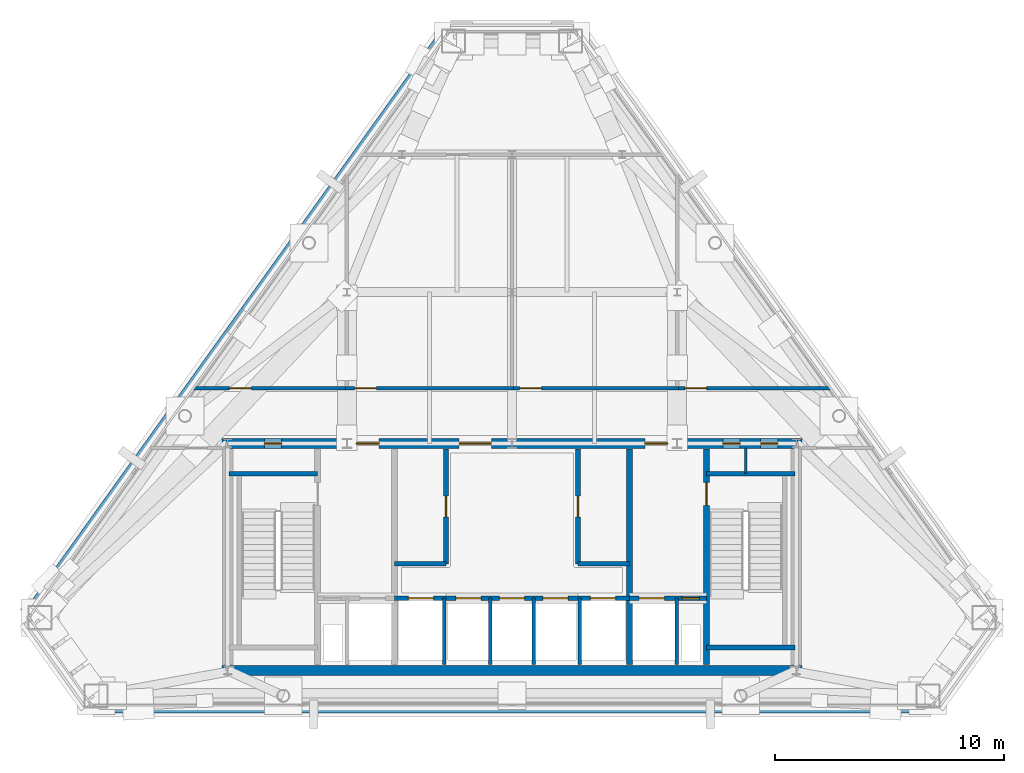
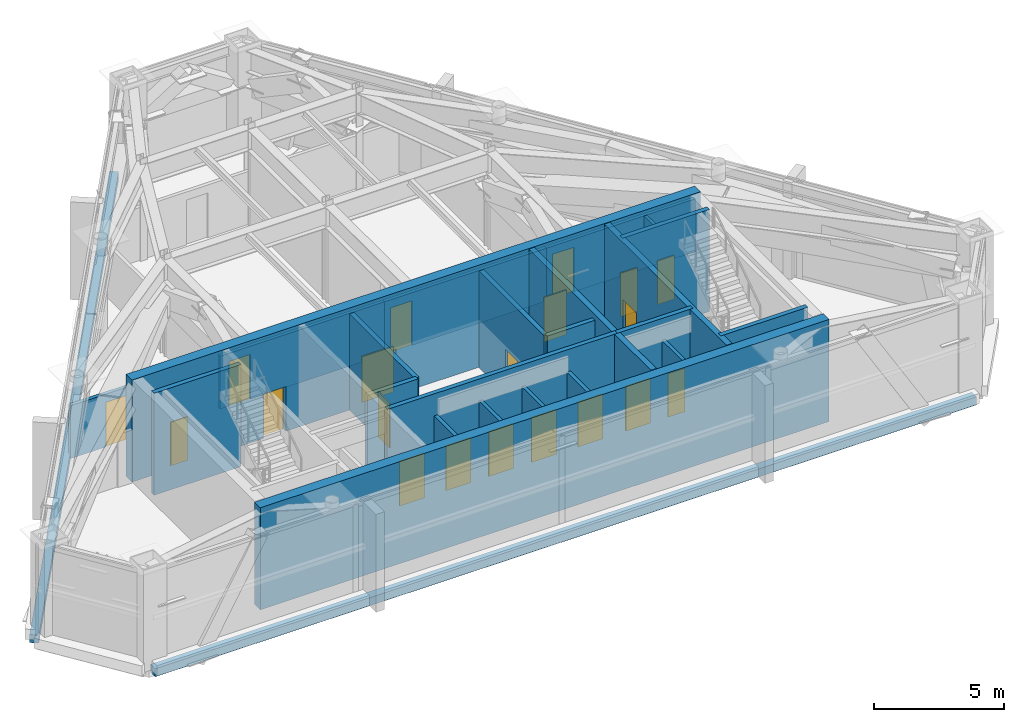
# One storey, part 6 of 9: 25 walls, 20 doors, 20 openings.
"""IFC4 building model written with IfcOpenShell, lengths in metres."""

import ifcopenshell
import ifcopenshell.guid

model = None  # the IFC model being written
_history = None  # IfcOwnerHistory: only IFC2X3 demands one
_inside = {}  # id of a spatial element -> (the spatial element, [elements in it])
_under = {}  # id of a project, library or spatial element -> (it, [spatial elements below it])
_declared = {}  # id of a project -> (the project, [libraries it declares])
_typed = {}  # id of a type object -> (the type object, [elements of that type])
_made_of = {}  # id of a material, layer set ... -> (it, [elements and type objects made of it])


def new_model(schema):
    """Start an empty IFC model of exactly this schema.

    Asked for "IFC4X3", IfcOpenShell would pick the latest addendum, in which some entities
    have other attributes; the version numbers below select the first issue.
    IFC2X3 requires an IfcOwnerHistory on every rooted entity: one is made here for all.
    """
    global model, _history
    if schema == "IFC4X3":
        model = ifcopenshell.file(schema_version=(4, 3, 0, 0))
    else:
        model = ifcopenshell.file(schema=schema)
    _inside.clear()
    _under.clear()
    _declared.clear()
    _typed.clear()
    _made_of.clear()
    _history = None
    if model.schema == "IFC2X3":
        org = make("IfcOrganization", Name="unknown")
        user = make(
            "IfcPersonAndOrganization",
            ThePerson=make("IfcPerson", FamilyName="unknown"),
            TheOrganization=org,
        )
        app = make(
            "IfcApplication",
            ApplicationDeveloper=org,
            Version="unknown",
            ApplicationFullName="unknown",
            ApplicationIdentifier="unknown",
        )
        _history = make(
            "IfcOwnerHistory",
            OwningUser=user,
            OwningApplication=app,
            ChangeAction="ADDED",
            CreationDate=0,
        )
    return model


def make(cls, **values):
    """One entity of the class cls with the attributes given. An attribute that is None is left unset."""
    return model.create_entity(
        cls, **{name: value for name, value in values.items() if value is not None}
    )


def rooted(cls, **values):
    """An entity with a GlobalId (a new one), such as an element, a storey or a relation."""
    return make(cls, GlobalId=ifcopenshell.guid.new(), OwnerHistory=_history, **values)


def si_unit(unit_type, name, prefix=None):
    """IfcSIUnit, for example si_unit("LENGTHUNIT", "METRE", prefix="MILLI")."""
    return make("IfcSIUnit", UnitType=unit_type, Prefix=prefix, Name=name)


def assignment(units):
    """IfcUnitAssignment: the units of a project."""
    return None if units is None else make("IfcUnitAssignment", Units=units)


def point(xyz):
    """IfcCartesianPoint."""
    return None if xyz is None else make("IfcCartesianPoint", Coordinates=xyz)


def direction(xyz):
    """IfcDirection."""
    return None if xyz is None else make("IfcDirection", DirectionRatios=xyz)


def frame(location, z_axis=None, x_axis=None):
    """IfcAxis2Placement3D, a coordinate frame: its origin and axes. An axis left out is left unset."""
    return make(
        "IfcAxis2Placement3D",
        Location=point(location),
        Axis=direction(z_axis),
        RefDirection=direction(x_axis),
    )


def frame_2d(location, x_axis=None):
    """IfcAxis2Placement2D, a coordinate frame in the plane: its origin and x axis."""
    return make(
        "IfcAxis2Placement2D", Location=point(location), RefDirection=direction(x_axis)
    )


def origin():
    """The frame at (0, 0, 0) with its axes left unset."""
    return frame((0.0, 0.0, 0.0))


def place(relative_to, where):
    """IfcLocalPlacement: puts the frame where relative to a parent placement (None: the world)."""
    return make(
        "IfcLocalPlacement", PlacementRelTo=relative_to, RelativePlacement=where
    )


def context(
    kind, dimensions, precision=None, world=None, true_north=None, identifier=None
):
    """IfcGeometricRepresentationContext, for example the 3D "Model" context."""
    return make(
        "IfcGeometricRepresentationContext",
        ContextIdentifier=identifier,
        ContextType=kind,
        CoordinateSpaceDimension=dimensions,
        Precision=precision,
        WorldCoordinateSystem=world,
        TrueNorth=true_north,
    )


def subcontext(parent, identifier, kind, view, scale=None):
    """IfcGeometricRepresentationSubContext, for example "Body" below "Model"."""
    return make(
        "IfcGeometricRepresentationSubContext",
        ContextIdentifier=identifier,
        ContextType=kind,
        ParentContext=parent,
        TargetScale=scale,
        TargetView=view,
    )


def project(units=None, contexts=None):
    """IfcProject with its units and contexts."""
    return rooted(
        "IfcProject",
        Name="project",
        RepresentationContexts=contexts,
        UnitsInContext=assignment(units),
    )


def spatial(cls, under=None, at=None, **own):
    """A site, building, storey or space (cls), placed at a placement, below another one or the project."""
    s = rooted(cls, ObjectPlacement=at, **own)
    if under is not None:
        _under.setdefault(under.id(), (under, []))[1].append(s)
    return s


def profile(cls, at=None, kind="AREA", **sizes):
    """A parametric profile (cls). Its sizes go by their IFC names, for example OverallWidth=200.0."""
    return make(cls, ProfileType=kind, Position=at, **sizes)


def rectangle(**sizes):
    """IfcRectangleProfileDef."""
    return profile("IfcRectangleProfileDef", **sizes)


def extrude(swept, where, along, depth):
    """IfcExtrudedAreaSolid: the profile swept, set in the frame where, extruded along a direction by depth."""
    return make(
        "IfcExtrudedAreaSolid",
        SweptArea=swept,
        Position=where,
        ExtrudedDirection=direction(along),
        Depth=depth,
    )


def shape(context_of_items, identifier, shape_type, items):
    """IfcShapeRepresentation: the items that make up one representation, for example the "Body"."""
    return make(
        "IfcShapeRepresentation",
        ContextOfItems=context_of_items,
        RepresentationIdentifier=identifier,
        RepresentationType=shape_type,
        Items=items,
    )


def material(Name=None, Category=None):
    """IfcMaterial."""
    return make("IfcMaterial", Name=Name, Category=Category)


def layer(
    of_material, thickness, ventilated=None, Name=None, Category=None, Priority=None
):
    """IfcMaterialLayer: one layer of a wall or slab, of a material (None: an air gap)."""
    return make(
        "IfcMaterialLayer",
        Material=of_material,
        LayerThickness=thickness,
        IsVentilated=ventilated,
        Name=Name,
        Category=Category,
        Priority=Priority,
    )


def layer_set(layers, Name=None):
    """IfcMaterialLayerSet."""
    return make("IfcMaterialLayerSet", MaterialLayers=layers, LayerSetName=Name)


def made_of(thing, what):
    """Note that an element or type object is made of a material, layer set ...; save() writes the relation."""
    if what is not None:
        _made_of.setdefault(what.id(), (what, []))[1].append(thing)
    return thing


def type_object(cls, material=None, **own):
    """A type object (cls), such as IfcWallType, which elements share."""
    return made_of(rooted(cls, **own), material)


def element(
    cls,
    number,
    at=None,
    inside=None,
    cuts=None,
    type_object=None,
    material=None,
    context=None,
    identifier="Body",
    shape_type=None,
    held_by="IfcProductDefinitionShape",
    body=None,
    shapes=None,
    **own,
):
    """One element of the class cls, such as IfcWall. Its Tag is "e" and its number.

    at: its placement. inside: the storey or other place that contains it. cuts: it is an
    opening in that element (IfcRelVoidsElement). A single representation is given by context,
    identifier, shape_type and body (its items); several are given by shapes. held_by: the class
    of the entity that holds the representations. save() writes the other relations.
    """
    e = rooted(cls, Tag="e%d" % number, ObjectPlacement=at, **own)
    if body is not None:
        shapes = [shape(context, identifier, shape_type, body)]
    if shapes is not None:
        e.Representation = make(held_by, Representations=shapes)
    if inside is not None:
        _inside.setdefault(inside.id(), (inside, []))[1].append(e)
    if cuts is not None:
        rooted(
            "IfcRelVoidsElement", RelatingBuildingElement=cuts, RelatedOpeningElement=e
        )
    if type_object is not None:
        _typed.setdefault(type_object.id(), (type_object, []))[1].append(e)
    return made_of(e, material)


def fill(opening, filler):
    """IfcRelFillsElement: the door or window that sits in an opening."""
    return rooted(
        "IfcRelFillsElement",
        RelatingOpeningElement=opening,
        RelatedBuildingElement=filler,
    )


def aggregate(whole, parts):
    """IfcRelAggregates: a whole, such as a stair, and the parts it consists of."""
    return rooted("IfcRelAggregates", RelatingObject=whole, RelatedObjects=parts)


def save(model, path):
    """Write the relations noted so far, then the file.

    IfcRelAggregates (storeys below a building ...), IfcRelContainedInSpatialStructure (elements
    in a storey), IfcRelDefinesByType, IfcRelAssociatesMaterial and IfcRelDeclares: one each for
    every whole, place, type object, material and project.
    """
    for whole, parts in _under.values():
        aggregate(whole, parts)
    for where, things in _inside.values():
        rooted(
            "IfcRelContainedInSpatialStructure",
            RelatedElements=things,
            RelatingStructure=where,
        )
    for kind, things in _typed.values():
        rooted("IfcRelDefinesByType", RelatedObjects=things, RelatingType=kind)
    for what, things in _made_of.values():
        rooted("IfcRelAssociatesMaterial", RelatedObjects=things, RelatingMaterial=what)
    for by, libraries in _declared.values():
        rooted("IfcRelDeclares", RelatingContext=by, RelatedDefinitions=libraries)
    model.write(path)


model = new_model("IFC4")

# Units and contexts
model_context = context("Model", 3, precision=1e-05, world=origin(), true_north=direction((0.0, 1.0)))
body_context = subcontext(model_context, "Body", "Model", "MODEL_VIEW")
ifc_project = project(units=[si_unit("LENGTHUNIT", "METRE"), si_unit("AREAUNIT", "SQUARE_METRE"), si_unit("VOLUMEUNIT", "CUBIC_METRE"), si_unit("PLANEANGLEUNIT", "RADIAN"), si_unit("MASSUNIT", "GRAM", prefix="KILO")], contexts=[model_context])

# Site, building, storey
site_placement = place(None, origin())
site = spatial("IfcSite", under=ifc_project, at=site_placement, CompositionType="ELEMENT")
building_placement = place(site_placement, origin())
building = spatial("IfcBuilding", under=site, at=building_placement, Name="Talgorran Terracotta Tower", CompositionType="ELEMENT")
storey_placement = place(building_placement, frame((0.0, 0.0, 244.199951171875)))
storey = spatial("IfcBuildingStorey", under=building, at=storey_placement, Name="L64", CompositionType="ELEMENT", Elevation=244.199951171875)

# Walls
ifc_material_1 = material(Name="Concrete C50/60", Category="concrete")
ifc_layer_1 = layer(ifc_material_1, 0.199951171875, Name="WT_CORE_200")
ifc_layer_set_1 = layer_set([ifc_layer_1], Name="Concrete C50/60")
wall_type_1 = type_object("IfcWallType", Name="WT_CORE_200", PredefinedType="SOLIDWALL", material=ifc_layer_set_1)
for number, where, z_axis, x_axis, name in (
    (1, (-12.35009765625, -5.52001953125, 0.0), (0.0, 0.0, 1.0), (1.0, 0.0, 0.0), "WL-L64-CW-ST1-N"),
    (2, (8.47998046875, -5.52001953125, 0.0), (0.0, 0.0, 1.0), (1.0, 0.0, 0.0), "WL-L64-CW-ST2-N"),
    (3, (8.47998046875, -13.10009765625, 0.0), (0.0, 0.0, 1.0), (1.0, 0.0, 0.0), "WL-L64-CW-ST2-S"),
):
    element("IfcWall", number, at=place(storey_placement, frame(where, z_axis=z_axis, x_axis=x_axis)), inside=storey, type_object=wall_type_1, Name=name, PredefinedType="SOLIDWALL", context=body_context, shape_type="SweptSolid", body=[
        extrude(rectangle(XDim=3.8701171875, YDim=0.199951171875, at=frame_2d((1.93505859375, 0.0))), origin(), (0.0, 0.0, 1.0), 4.800048828125),
    ])

# Wall, openings, doors
wall_1_placement = place(storey_placement, frame((-5.1201171875, -10.949951171875, 0.0), z_axis=(0.0, 0.0, 1.0), x_axis=(1.0, 0.0, 0.0)))
wall_1 = element("IfcWall", 4, at=wall_1_placement, inside=storey, type_object=wall_type_1, Name="WL-L64-CW-H-SBC", PredefinedType="SOLIDWALL", context=body_context, shape_type="SweptSolid", body=[
    extrude(rectangle(XDim=10.240234375, YDim=0.199951171875, at=frame_2d((5.1201171875, 0.0))), origin(), (0.0, 0.0, 1.0), 4.800048828125),
])
opening_1_placement = place(wall_1_placement, frame((0.60009765625, 0.0, 0.0)))
opening_1 = element("IfcOpeningElement", 5, at=opening_1_placement, cuts=wall_1, Name="Opening LD-OB1", PredefinedType="OPENING", context=body_context, shape_type="SweptSolid", body=[
    extrude(rectangle(XDim=1.10609765625, YDim=2.10409765625, at=frame_2d((0.550048828125, 1.052001953125))), frame((0.0, 0.10986328125, 0.0), z_axis=(0.0, -1.0, 0.0), x_axis=(1.0, 0.0, 0.0)), (0.0, 0.0, 1.0), 0.219970703125),
])
opening_2_placement = place(wall_1_placement, frame((2.669921875, 0.0, 0.0)))
opening_2 = element("IfcOpeningElement", 6, at=opening_2_placement, cuts=wall_1, Name="Opening LD-PLH1", PredefinedType="OPENING", context=body_context, shape_type="SweptSolid", body=[
    extrude(rectangle(XDim=1.10609765625, YDim=2.10409765625, at=frame_2d((0.550048828125, 1.052001953125))), frame((0.0, 0.10986328125, 0.0), z_axis=(0.0, -1.0, 0.0), x_axis=(1.0, 0.0, 0.0)), (0.0, 0.0, 1.0), 0.219970703125),
])
opening_3_placement = place(wall_1_placement, frame((4.570068359375, 0.0, 0.0)))
opening_3 = element("IfcOpeningElement", 7, at=opening_3_placement, cuts=wall_1, Name="Opening LD-PLH2", PredefinedType="OPENING", context=body_context, shape_type="SweptSolid", body=[
    extrude(rectangle(XDim=1.10609765625, YDim=2.10409765625, at=frame_2d((0.550048828125, 1.052001953125))), frame((0.0, 0.10986328125, 0.0), z_axis=(0.0, -1.0, 0.0), x_axis=(1.0, 0.0, 0.0)), (0.0, 0.0, 1.0), 0.219970703125),
])
opening_4_placement = place(wall_1_placement, frame((6.469970703125, 0.0, 0.0)))
opening_4 = element("IfcOpeningElement", 8, at=opening_4_placement, cuts=wall_1, Name="Opening LD-PLH3", PredefinedType="OPENING", context=body_context, shape_type="SweptSolid", body=[
    extrude(rectangle(XDim=1.10609765625, YDim=2.10409765625, at=frame_2d((0.550048828125, 1.052001953125))), frame((0.0, 0.10986328125, 0.0), z_axis=(0.0, -1.0, 0.0), x_axis=(1.0, 0.0, 0.0)), (0.0, 0.0, 1.0), 0.219970703125),
])
opening_5_placement = place(wall_1_placement, frame((8.5400390625, 0.0, 0.0)))
opening_5 = element("IfcOpeningElement", 9, at=opening_5_placement, cuts=wall_1, Name="Opening LD-SVL1", PredefinedType="OPENING", context=body_context, shape_type="SweptSolid", body=[
    extrude(rectangle(XDim=1.10609765625, YDim=2.10409765625, at=frame_2d((0.550048828125, 1.052001953125))), frame((0.0, 0.10986328125, 0.0), z_axis=(0.0, -1.0, 0.0), x_axis=(1.0, 0.0, 0.0)), (0.0, 0.0, 1.0), 0.219970703125),
])
ifc_material_2 = material(Name="Brushed Stainless Steel Grade 304", Category="steel")
door_type_1 = type_object("IfcDoorType", Name="DT_LIFT_LD1100", OperationType="DOUBLE_DOOR_SLIDING", PredefinedType="DOOR", material=ifc_material_2)
door_1_placement = place(opening_1_placement, origin())
door_1 = element("IfcDoor", 10, at=door_1_placement, inside=storey, type_object=door_type_1, Name="L64 Lift Landing Door LD-OB1", OperationType="DOUBLE_DOOR_SLIDING", OverallHeight=2.10009765625, OverallWidth=1.10009765625, PredefinedType="DOOR", context=body_context, shape_type="SweptSolid", body=[
    extrude(rectangle(XDim=1.10009765625, YDim=2.10009765625, at=frame_2d((0.550048828125, 1.050048828125))), frame((0.0, 0.02490234375, 0.0), z_axis=(0.0, -1.0, 0.0), x_axis=(1.0, 0.0, 0.0)), (0.0, 0.0, 1.0), 0.050048828125),
])
fill(opening_1, door_1)
door_2_placement = place(opening_2_placement, origin())
door_2 = element("IfcDoor", 11, at=door_2_placement, inside=storey, type_object=door_type_1, Name="L64 Lift Landing Door LD-PLH1", OperationType="DOUBLE_DOOR_SLIDING", OverallHeight=2.10009765625, OverallWidth=1.10009765625, PredefinedType="DOOR", context=body_context, shape_type="SweptSolid", body=[
    extrude(rectangle(XDim=1.10009765625, YDim=2.10009765625, at=frame_2d((0.550048828125, 1.050048828125))), frame((0.0, 0.02490234375, 0.0), z_axis=(0.0, -1.0, 0.0), x_axis=(1.0, 0.0, 0.0)), (0.0, 0.0, 1.0), 0.050048828125),
])
fill(opening_2, door_2)
door_3_placement = place(opening_3_placement, origin())
door_3 = element("IfcDoor", 12, at=door_3_placement, inside=storey, type_object=door_type_1, Name="L64 Lift Landing Door LD-PLH2", OperationType="DOUBLE_DOOR_SLIDING", OverallHeight=2.10009765625, OverallWidth=1.10009765625, PredefinedType="DOOR", context=body_context, shape_type="SweptSolid", body=[
    extrude(rectangle(XDim=1.10009765625, YDim=2.10009765625, at=frame_2d((0.550048828125, 1.050048828125))), frame((0.0, 0.02490234375, 0.0), z_axis=(0.0, -1.0, 0.0), x_axis=(1.0, 0.0, 0.0)), (0.0, 0.0, 1.0), 0.050048828125),
])
fill(opening_3, door_3)
door_4_placement = place(opening_4_placement, origin())
door_4 = element("IfcDoor", 13, at=door_4_placement, inside=storey, type_object=door_type_1, Name="L64 Lift Landing Door LD-PLH3", OperationType="DOUBLE_DOOR_SLIDING", OverallHeight=2.10009765625, OverallWidth=1.10009765625, PredefinedType="DOOR", context=body_context, shape_type="SweptSolid", body=[
    extrude(rectangle(XDim=1.10009765625, YDim=2.10009765625, at=frame_2d((0.550048828125, 1.050048828125))), frame((0.0, 0.02490234375, 0.0), z_axis=(0.0, -1.0, 0.0), x_axis=(1.0, 0.0, 0.0)), (0.0, 0.0, 1.0), 0.050048828125),
])
fill(opening_4, door_4)
door_5_placement = place(opening_5_placement, origin())
door_5 = element("IfcDoor", 14, at=door_5_placement, inside=storey, type_object=door_type_1, Name="L64 Lift Landing Door LD-SVL1", OperationType="DOUBLE_DOOR_SLIDING", OverallHeight=2.10009765625, OverallWidth=1.10009765625, PredefinedType="DOOR", context=body_context, shape_type="SweptSolid", body=[
    extrude(rectangle(XDim=1.10009765625, YDim=2.10009765625, at=frame_2d((0.550048828125, 1.050048828125))), frame((0.0, 0.02490234375, 0.0), z_axis=(0.0, -1.0, 0.0), x_axis=(1.0, 0.0, 0.0)), (0.0, 0.0, 1.0), 0.050048828125),
])
fill(opening_5, door_5)

wall_2_placement = place(storey_placement, frame((5.1201171875, -10.949951171875, 0.0), z_axis=(0.0, 0.0, 1.0), x_axis=(1.0, 0.0, 0.0)))
wall_2 = element("IfcWall", 15, at=wall_2_placement, inside=storey, type_object=wall_type_1, Name="WL-L64-CW-H-SBE", PredefinedType="SOLIDWALL", context=body_context, shape_type="SweptSolid", body=[
    extrude(rectangle(XDim=3.35986328125, YDim=0.199951171875, at=frame_2d((1.679931640625, 0.0))), origin(), (0.0, 0.0, 1.0), 4.800048828125),
])
opening_6_placement = place(wall_2_placement, frame((0.419921875, 0.0, 0.0)))
opening_6 = element("IfcOpeningElement", 16, at=opening_6_placement, cuts=wall_2, Name="Opening LD-FFL2", PredefinedType="OPENING", context=body_context, shape_type="SweptSolid", body=[
    extrude(rectangle(XDim=1.10609765625, YDim=2.10409765625, at=frame_2d((0.550048828125, 1.052001953125))), frame((0.0, 0.10986328125, 0.0), z_axis=(0.0, -1.0, 0.0), x_axis=(1.0, 0.0, 0.0)), (0.0, 0.0, 1.0), 0.219970703125),
])
opening_7_placement = place(wall_2_placement, frame((2.300048828125, 0.0, 0.0)))
opening_7 = element("IfcOpeningElement", 17, at=opening_7_placement, cuts=wall_2, Name="Opening DR-RSE", PredefinedType="OPENING", context=body_context, shape_type="SweptSolid", body=[
    extrude(rectangle(XDim=0.756, YDim=2.054048828125, at=frame_2d((0.375, 1.027099609375))), frame((0.0, 0.10986328125, 0.0), z_axis=(0.0, -1.0, 0.0), x_axis=(1.0, 0.0, 0.0)), (0.0, 0.0, 1.0), 0.219970703125),
])
door_6_placement = place(opening_6_placement, origin())
door_6 = element("IfcDoor", 18, at=door_6_placement, inside=storey, type_object=door_type_1, Name="L64 Lift Landing Door LD-FFL2", OperationType="DOUBLE_DOOR_SLIDING", OverallHeight=2.10009765625, OverallWidth=1.10009765625, PredefinedType="DOOR", context=body_context, shape_type="SweptSolid", body=[
    extrude(rectangle(XDim=1.10009765625, YDim=2.10009765625, at=frame_2d((0.550048828125, 1.050048828125))), frame((0.0, 0.02490234375, 0.0), z_axis=(0.0, -1.0, 0.0), x_axis=(1.0, 0.0, 0.0)), (0.0, 0.0, 1.0), 0.050048828125),
])
fill(opening_6, door_6)
ifc_material_3 = material(Name="Fire-Rated Pressed Steel", Category="steel")
door_type_2 = type_object("IfcDoorType", Name="DT_RISER_750", OperationType="NOTDEFINED", PredefinedType="DOOR", material=ifc_material_3)
door_7_placement = place(opening_7_placement, origin())
door_7 = element("IfcDoor", 19, at=door_7_placement, inside=storey, type_object=door_type_2, Name="DR-RSE", OperationType="SINGLE_SWING_RIGHT", OverallHeight=2.050048828125, OverallWidth=0.75, PredefinedType="DOOR", context=body_context, shape_type="SweptSolid", body=[
    extrude(rectangle(XDim=0.75, YDim=2.050048828125, at=frame_2d((0.375, 1.02490234375))), frame((0.0, 0.02490234375, 0.0), z_axis=(0.0, -1.0, 0.0), x_axis=(1.0, 0.0, 0.0)), (0.0, 0.0, 1.0), 0.050048828125),
])
fill(opening_7, door_7)

# Wall, opening, door
wall_3_placement = place(storey_placement, frame((-2.8798828125, -9.449951171875, 0.0), z_axis=(0.0, 0.0, 1.0), x_axis=(0.0, 1.0, 0.0)))
wall_3 = element("IfcWall", 20, at=wall_3_placement, inside=storey, type_object=wall_type_1, Name="WL-L64-CW-V-W3", PredefinedType="SOLIDWALL", context=body_context, shape_type="SweptSolid", body=[
    extrude(rectangle(XDim=5.0, YDim=0.199951171875, at=frame_2d((2.5, 0.0))), origin(), (0.0, 0.0, 1.0), 4.545166015625),
])
opening_8_placement = place(wall_3_placement, frame((2.050048828125, 0.0, 0.0)))
opening_8 = element("IfcOpeningElement", 21, at=opening_8_placement, cuts=wall_3, Name="Opening DR-FRPLL-P", PredefinedType="OPENING", context=body_context, shape_type="SweptSolid", body=[
    extrude(rectangle(XDim=0.90590234375, YDim=2.10409765625, at=frame_2d((0.449951171875, 1.052001953125))), frame((0.0, 0.10986328125, 0.0), z_axis=(0.0, -1.0, 0.0), x_axis=(1.0, 0.0, 0.0)), (0.0, 0.0, 1.0), 0.219970703125),
])
ifc_material_4 = material(Name="Fire-Rated Timber Core", Category="wood")
door_type_3 = type_object("IfcDoorType", Name="DT_FIRE_900", OperationType="NOTDEFINED", PredefinedType="DOOR", material=ifc_material_4)
door_8_placement = place(opening_8_placement, origin())
door_8 = element("IfcDoor", 22, at=door_8_placement, inside=storey, type_object=door_type_3, Name="DR-FRPLL-P", OperationType="SINGLE_SWING_LEFT", OverallHeight=2.10009765625, OverallWidth=0.89990234375, PredefinedType="DOOR", context=body_context, shape_type="SweptSolid", body=[
    extrude(rectangle(XDim=0.89990234375, YDim=2.10009765625, at=frame_2d((0.449951171875, 1.050048828125))), frame((0.0, 0.02490234375, 0.0), z_axis=(0.0, -1.0, 0.0), x_axis=(1.0, 0.0, 0.0)), (0.0, 0.0, 1.0), 0.050048828125),
])
fill(opening_8, door_8)

# Wall
wall_4_placement = place(storey_placement, frame((-5.1201171875, -9.449951171875, 0.0), z_axis=(0.0, 0.0, 1.0), x_axis=(1.0, 0.0, 0.0)))
element("IfcWall", 23, at=wall_4_placement, inside=storey, type_object=wall_type_1, Name="WL-L64-CW-H-W4", PredefinedType="SOLIDWALL", context=body_context, shape_type="SweptSolid", body=[
    extrude(rectangle(XDim=2.240234375, YDim=0.199951171875, at=frame_2d((1.1201171875, 0.0))), origin(), (0.0, 0.0, 1.0), 4.545166015625),
])

# Wall, opening, door
wall_5_placement = place(storey_placement, frame((2.8798828125, -9.449951171875, 0.0), z_axis=(0.0, 0.0, 1.0), x_axis=(0.0, 1.0, 0.0)))
wall_5 = element("IfcWall", 24, at=wall_5_placement, inside=storey, type_object=wall_type_1, Name="WL-L64-CW-V-E3", PredefinedType="SOLIDWALL", context=body_context, shape_type="SweptSolid", body=[
    extrude(rectangle(XDim=5.0, YDim=0.199951171875, at=frame_2d((2.5, 0.0))), origin(), (0.0, 0.0, 1.0), 4.545166015625),
])
opening_9_placement = place(wall_5_placement, frame((2.050048828125, 0.0, 0.0)))
opening_9 = element("IfcOpeningElement", 25, at=opening_9_placement, cuts=wall_5, Name="Opening DR-FRPLM-P", PredefinedType="OPENING", context=body_context, shape_type="SweptSolid", body=[
    extrude(rectangle(XDim=0.90590234375, YDim=2.10409765625, at=frame_2d((0.449951171875, 1.052001953125))), frame((0.0, 0.10986328125, 0.0), z_axis=(0.0, -1.0, 0.0), x_axis=(1.0, 0.0, 0.0)), (0.0, 0.0, 1.0), 0.219970703125),
])
door_9_placement = place(opening_9_placement, origin())
door_9 = element("IfcDoor", 26, at=door_9_placement, inside=storey, type_object=door_type_3, Name="DR-FRPLM-P", OperationType="SINGLE_SWING_RIGHT", OverallHeight=2.10009765625, OverallWidth=0.89990234375, PredefinedType="DOOR", context=body_context, shape_type="SweptSolid", body=[
    extrude(rectangle(XDim=0.89990234375, YDim=2.10009765625, at=frame_2d((0.449951171875, 1.050048828125))), frame((0.0, 0.02490234375, 0.0), z_axis=(0.0, -1.0, 0.0), x_axis=(1.0, 0.0, 0.0)), (0.0, 0.0, 1.0), 0.050048828125),
])
fill(opening_9, door_9)

# Wall
wall_6_placement = place(storey_placement, frame((2.8798828125, -9.449951171875, 0.0), z_axis=(0.0, 0.0, 1.0), x_axis=(1.0, 0.0, 0.0)))
element("IfcWall", 27, at=wall_6_placement, inside=storey, type_object=wall_type_1, Name="WL-L64-CW-H-E4", PredefinedType="SOLIDWALL", context=body_context, shape_type="SweptSolid", body=[
    extrude(rectangle(XDim=2.240234375, YDim=0.199951171875, at=frame_2d((1.1201171875, 0.0))), origin(), (0.0, 0.0, 1.0), 4.545166015625),
])

# Wall, opening, door
ifc_layer_2 = layer(ifc_material_1, 0.25, Name="WT_CORE_250")
ifc_layer_set_2 = layer_set([ifc_layer_2], Name="Concrete C50/60")
wall_type_2 = type_object("IfcWallType", Name="WT_CORE_250", PredefinedType="SHEAR", material=ifc_layer_set_2)
wall_7_placement = place(storey_placement, frame((8.47998046875, -13.85009765625, 0.0), z_axis=(0.0, 0.0, 1.0), x_axis=(0.0, 1.0, 0.0)))
wall_7 = element("IfcWall", 28, at=wall_7_placement, inside=storey, type_object=wall_type_2, Name="WL-L64-CW-V-E1", PredefinedType="SHEAR", context=body_context, shape_type="SweptSolid", body=[
    extrude(rectangle(XDim=9.400146484375, YDim=0.25, at=frame_2d((4.7001953125, 0.0))), origin(), (0.0, 0.0, 1.0), 4.800048828125),
])
opening_10_placement = place(wall_7_placement, frame((6.949951171875, 0.0, 0.0)))
opening_10 = element("IfcOpeningElement", 29, at=opening_10_placement, cuts=wall_7, Name="Opening DR-ST02", PredefinedType="OPENING", context=body_context, shape_type="SweptSolid", body=[
    extrude(rectangle(XDim=1.006, YDim=2.10409765625, at=frame_2d((0.5, 1.052001953125))), frame((0.0, 0.135009765625, 0.0), z_axis=(0.0, -1.0, 0.0), x_axis=(1.0, 0.0, 0.0)), (0.0, 0.0, 1.0), 0.27001953125),
])
door_type_4 = type_object("IfcDoorType", Name="DT_FIRE_1000", OperationType="NOTDEFINED", PredefinedType="DOOR", material=ifc_material_3)
door_10_placement = place(opening_10_placement, origin())
door_10 = element("IfcDoor", 30, at=door_10_placement, inside=storey, type_object=door_type_4, Name="DR-ST02", OperationType="SINGLE_SWING_RIGHT", OverallHeight=2.10009765625, OverallWidth=1.0, PredefinedType="DOOR", context=body_context, shape_type="SweptSolid", body=[
    extrude(rectangle(XDim=1.0, YDim=2.10009765625, at=frame_2d((0.5, 1.050048828125))), frame((0.0, 0.02490234375, 0.0), z_axis=(0.0, -1.0, 0.0), x_axis=(1.0, 0.0, 0.0)), (0.0, 0.0, 1.0), 0.050048828125),
])
fill(opening_10, door_10)

# Walls
wall_8_placement = place(storey_placement, frame((5.1201171875, -13.85009765625, 0.0), z_axis=(0.0, 0.0, 1.0), x_axis=(0.0, 1.0, 0.0)))
element("IfcWall", 31, at=wall_8_placement, inside=storey, type_object=wall_type_2, Name="WL-L64-CW-V-E2", PredefinedType="SHEAR", context=body_context, shape_type="SweptSolid", body=[
    extrude(rectangle(XDim=9.400146484375, YDim=0.25, at=frame_2d((4.7001953125, 0.0))), origin(), (0.0, 0.0, 1.0), 4.800048828125),
])
ifc_material_5 = material(Name="Concrete C65/80", Category="concrete")
ifc_layer_3 = layer(ifc_material_5, 0.449951171875, Name="WT_CORE_EXT")
ifc_layer_set_3 = layer_set([ifc_layer_3], Name="Concrete C65/80")
wall_type_3 = type_object("IfcWallType", Name="WT_CORE_EXT", PredefinedType="SHEAR", material=ifc_layer_set_3)
wall_9_placement = place(storey_placement, frame((-12.64990234375, -14.10009765625, 0.0), z_axis=(0.0, 0.0, 1.0), x_axis=(1.0, 0.0, 0.0)))
element("IfcWall", 32, at=wall_9_placement, inside=storey, type_object=wall_type_3, Name="WL-L64-CW-OUT-S", PredefinedType="SHEAR", context=body_context, shape_type="SweptSolid", body=[
    extrude(rectangle(XDim=25.2998046875, YDim=0.449951171875, at=frame_2d((12.64990234375, 0.0))), origin(), (0.0, 0.0, 1.0), 4.800048828125),
])

# Wall, openings, doors
wall_10_placement = place(storey_placement, frame((-12.64990234375, -4.199951171875, 0.0), z_axis=(0.0, 0.0, 1.0), x_axis=(1.0, 0.0, 0.0)))
wall_10 = element("IfcWall", 33, at=wall_10_placement, inside=storey, type_object=wall_type_3, Name="WL-L64-CW-OUT-N", PredefinedType="SHEAR", context=body_context, shape_type="SweptSolid", body=[
    extrude(rectangle(XDim=25.2998046875, YDim=0.449951171875, at=frame_2d((12.64990234375, 0.0))), origin(), (0.0, 0.0, 1.0), 4.800048828125),
])
opening_11_placement = place(wall_10_placement, frame((1.85009765625, 0.0, 0.0)))
opening_11 = element("IfcOpeningElement", 34, at=opening_11_placement, cuts=wall_10, Name="Opening DR-CSN1", PredefinedType="OPENING", context=body_context, shape_type="SweptSolid", body=[
    extrude(rectangle(XDim=0.756, YDim=2.054048828125, at=frame_2d((0.375, 1.027099609375))), frame((0.0, 0.23486328125, 0.0), z_axis=(0.0, -1.0, 0.0), x_axis=(1.0, 0.0, 0.0)), (0.0, 0.0, 1.0), 0.469970703125),
])
opening_12_placement = place(wall_10_placement, frame((21.85009765625, 0.0, 0.0)))
opening_12 = element("IfcOpeningElement", 35, at=opening_12_placement, cuts=wall_10, Name="Opening DR-CSN2", PredefinedType="OPENING", context=body_context, shape_type="SweptSolid", body=[
    extrude(rectangle(XDim=0.756, YDim=2.054048828125, at=frame_2d((0.375, 1.027099609375))), frame((0.0, 0.23486328125, 0.0), z_axis=(0.0, -1.0, 0.0), x_axis=(1.0, 0.0, 0.0)), (0.0, 0.0, 1.0), 0.469970703125),
])
opening_13_placement = place(wall_10_placement, frame((23.5, 0.0, 0.0)))
opening_13 = element("IfcOpeningElement", 36, at=opening_13_placement, cuts=wall_10, Name="Opening DR-CSN3", PredefinedType="OPENING", context=body_context, shape_type="SweptSolid", body=[
    extrude(rectangle(XDim=0.756, YDim=2.054048828125, at=frame_2d((0.375, 1.027099609375))), frame((0.0, 0.23486328125, 0.0), z_axis=(0.0, -1.0, 0.0), x_axis=(1.0, 0.0, 0.0)), (0.0, 0.0, 1.0), 0.469970703125),
])
opening_14_placement = place(wall_10_placement, frame((5.85009765625, 0.0, 0.0)))
opening_14 = element("IfcOpeningElement", 37, at=opening_14_placement, cuts=wall_10, Name="Opening DR-FFLW-N", PredefinedType="OPENING", context=body_context, shape_type="SweptSolid", body=[
    extrude(rectangle(XDim=1.006, YDim=2.10409765625, at=frame_2d((0.5, 1.052001953125))), frame((0.0, 0.23486328125, 0.0), z_axis=(0.0, -1.0, 0.0), x_axis=(1.0, 0.0, 0.0)), (0.0, 0.0, 1.0), 0.469970703125),
])
opening_15_placement = place(wall_10_placement, frame((10.35009765625, 0.0, 0.0)))
opening_15 = element("IfcOpeningElement", 38, at=opening_15_placement, cuts=wall_10, Name="Opening DR-PLL-N", PredefinedType="OPENING", context=body_context, shape_type="SweptSolid", body=[
    extrude(rectangle(XDim=1.40590234375, YDim=2.15390234375, at=frame_2d((0.699951171875, 1.076904296875))), frame((0.0, 0.23486328125, 0.0), z_axis=(0.0, -1.0, 0.0), x_axis=(1.0, 0.0, 0.0)), (0.0, 0.0, 1.0), 0.469970703125),
])
opening_16_placement = place(wall_10_placement, frame((18.449951171875, 0.0, 0.0)))
opening_16 = element("IfcOpeningElement", 39, at=opening_16_placement, cuts=wall_10, Name="Opening DR-FFLE-N", PredefinedType="OPENING", context=body_context, shape_type="SweptSolid", body=[
    extrude(rectangle(XDim=1.006, YDim=2.10409765625, at=frame_2d((0.5, 1.052001953125))), frame((0.0, 0.23486328125, 0.0), z_axis=(0.0, -1.0, 0.0), x_axis=(1.0, 0.0, 0.0)), (0.0, 0.0, 1.0), 0.469970703125),
])
ifc_material_6 = material(Name="Acoustic Glazed Timber", Category="wood")
door_type_5 = type_object("IfcDoorType", Name="DT_DOUBLE_1400", OperationType="DOUBLE_DOOR_SINGLE_SWING", PredefinedType="DOOR", material=ifc_material_6)
door_11_placement = place(opening_15_placement, origin())
door_11 = element("IfcDoor", 40, at=door_11_placement, inside=storey, type_object=door_type_5, Name="DR-PLL-N", OperationType="DOUBLE_DOOR_SINGLE_SWING", OverallHeight=2.14990234375, OverallWidth=1.39990234375, PredefinedType="DOOR", context=body_context, shape_type="SweptSolid", body=[
    extrude(rectangle(XDim=1.39990234375, YDim=2.14990234375, at=frame_2d((0.699951171875, 1.074951171875))), frame((0.0, 0.02490234375, 0.0), z_axis=(0.0, -1.0, 0.0), x_axis=(1.0, 0.0, 0.0)), (0.0, 0.0, 1.0), 0.050048828125),
])
fill(opening_15, door_11)
door_12_placement = place(opening_14_placement, origin())
door_12 = element("IfcDoor", 41, at=door_12_placement, inside=storey, type_object=door_type_4, Name="DR-FFLW-N", OperationType="SINGLE_SWING_LEFT", OverallHeight=2.10009765625, OverallWidth=1.0, PredefinedType="DOOR", context=body_context, shape_type="SweptSolid", body=[
    extrude(rectangle(XDim=1.0, YDim=2.10009765625, at=frame_2d((0.5, 1.050048828125))), frame((0.0, 0.02490234375, 0.0), z_axis=(0.0, -1.0, 0.0), x_axis=(1.0, 0.0, 0.0)), (0.0, 0.0, 1.0), 0.050048828125),
])
fill(opening_14, door_12)
door_13_placement = place(opening_16_placement, origin())
door_13 = element("IfcDoor", 42, at=door_13_placement, inside=storey, type_object=door_type_4, Name="DR-FFLE-N", OperationType="SINGLE_SWING_RIGHT", OverallHeight=2.10009765625, OverallWidth=1.0, PredefinedType="DOOR", context=body_context, shape_type="SweptSolid", body=[
    extrude(rectangle(XDim=1.0, YDim=2.10009765625, at=frame_2d((0.5, 1.050048828125))), frame((0.0, 0.02490234375, 0.0), z_axis=(0.0, -1.0, 0.0), x_axis=(1.0, 0.0, 0.0)), (0.0, 0.0, 1.0), 0.050048828125),
])
fill(opening_16, door_13)
door_14_placement = place(opening_11_placement, origin())
door_14 = element("IfcDoor", 43, at=door_14_placement, inside=storey, type_object=door_type_2, Name="DR-CSN1", OperationType="SINGLE_SWING_LEFT", OverallHeight=2.050048828125, OverallWidth=0.75, PredefinedType="DOOR", context=body_context, shape_type="SweptSolid", body=[
    extrude(rectangle(XDim=0.75, YDim=2.050048828125, at=frame_2d((0.375, 1.02490234375))), frame((0.0, 0.02490234375, 0.0), z_axis=(0.0, -1.0, 0.0), x_axis=(1.0, 0.0, 0.0)), (0.0, 0.0, 1.0), 0.050048828125),
])
fill(opening_11, door_14)
door_15_placement = place(opening_12_placement, origin())
door_15 = element("IfcDoor", 44, at=door_15_placement, inside=storey, type_object=door_type_2, Name="DR-CSN2", OperationType="SINGLE_SWING_LEFT", OverallHeight=2.050048828125, OverallWidth=0.75, PredefinedType="DOOR", context=body_context, shape_type="SweptSolid", body=[
    extrude(rectangle(XDim=0.75, YDim=2.050048828125, at=frame_2d((0.375, 1.02490234375))), frame((0.0, 0.02490234375, 0.0), z_axis=(0.0, -1.0, 0.0), x_axis=(1.0, 0.0, 0.0)), (0.0, 0.0, 1.0), 0.050048828125),
])
fill(opening_12, door_15)
door_16_placement = place(opening_13_placement, origin())
door_16 = element("IfcDoor", 45, at=door_16_placement, inside=storey, type_object=door_type_2, Name="DR-CSN3", OperationType="SINGLE_SWING_RIGHT", OverallHeight=2.050048828125, OverallWidth=0.75, PredefinedType="DOOR", context=body_context, shape_type="SweptSolid", body=[
    extrude(rectangle(XDim=0.75, YDim=2.050048828125, at=frame_2d((0.375, 1.02490234375))), frame((0.0, 0.02490234375, 0.0), z_axis=(0.0, -1.0, 0.0), x_axis=(1.0, 0.0, 0.0)), (0.0, 0.0, 1.0), 0.050048828125),
])
fill(opening_13, door_16)

# Wall, opening, door
ifc_material_7 = material(Name="Fire-Rated Steel Stud Plasterboard", Category="steel")
ifc_layer_4 = layer(ifc_material_7, 0.14990234375, Name="WT_FIRE_150")
ifc_layer_set_4 = layer_set([ifc_layer_4], Name="Fire-Rated Steel Stud Plasterboard")
wall_type_4 = type_object("IfcWallType", Name="WT_FIRE_150", PredefinedType="PARTITIONING", material=ifc_layer_set_4)
wall_11_placement = place(storey_placement, frame((-7.260009765625, -1.800048828125, 0.0), z_axis=(0.0, 0.0, 1.0), x_axis=(1.0, 0.0, 0.0)))
wall_11 = element("IfcWall", 46, at=wall_11_placement, inside=storey, type_object=wall_type_4, Name="WL-L64-W-L64-R04", PredefinedType="PARTITIONING", context=body_context, shape_type="SweptSolid", body=[
    extrude(rectangle(XDim=7.320068359375, YDim=0.14990234375, at=frame_2d((3.66015625, 0.0))), origin(), (0.0, 0.0, 1.0), 2.485107421875),
])
opening_17_placement = place(wall_11_placement, frame((0.398681640625, 0.0, 0.0)))
opening_17 = element("IfcOpeningElement", 47, at=opening_17_placement, cuts=wall_11, Name="Opening DR-L64-R04", PredefinedType="OPENING", context=body_context, shape_type="SweptSolid", body=[
    extrude(rectangle(XDim=0.955951171875, YDim=2.10409765625, at=frame_2d((0.47509765625, 1.052001953125))), frame((0.0, 0.0849609375, 0.0), z_axis=(0.0, -1.0, 0.0), x_axis=(1.0, 0.0, 0.0)), (0.0, 0.0, 1.0), 0.169921875),
])
door_type_6 = type_object("IfcDoorType", Name="DT_FIRE_950", OperationType="NOTDEFINED", PredefinedType="DOOR", material=ifc_material_4)
door_17_placement = place(opening_17_placement, origin())
door_17 = element("IfcDoor", 48, at=door_17_placement, inside=storey, type_object=door_type_6, Name="DR-L64-R04", OperationType="SINGLE_SWING_RIGHT", OverallHeight=2.10009765625, OverallWidth=0.949951171875, PredefinedType="DOOR", context=body_context, shape_type="SweptSolid", body=[
    extrude(rectangle(XDim=0.949951171875, YDim=2.10009765625, at=frame_2d((0.47509765625, 1.050048828125))), frame((0.0, 0.02490234375, 0.0), z_axis=(0.0, -1.0, 0.0), x_axis=(1.0, 0.0, 0.0)), (0.0, 0.0, 1.0), 0.050048828125),
])
fill(opening_17, door_17)

wall_12_placement = place(storey_placement, frame((0.06201171875, -1.800048828125, 0.0), z_axis=(0.0, 0.0, 1.0), x_axis=(1.0, 0.0, 0.0)))
wall_12 = element("IfcWall", 49, at=wall_12_placement, inside=storey, type_object=wall_type_4, Name="WL-L64-W-L64-R05", PredefinedType="PARTITIONING", context=body_context, shape_type="SweptSolid", body=[
    extrude(rectangle(XDim=7.197998046875, YDim=0.14990234375, at=frame_2d((3.59912109375, 0.0))), origin(), (0.0, 0.0, 1.0), 2.485107421875),
])
opening_18_placement = place(wall_12_placement, frame((0.276611328125, 0.0, 0.0)))
opening_18 = element("IfcOpeningElement", 50, at=opening_18_placement, cuts=wall_12, Name="Opening DR-L64-R05", PredefinedType="OPENING", context=body_context, shape_type="SweptSolid", body=[
    extrude(rectangle(XDim=0.955951171875, YDim=2.10409765625, at=frame_2d((0.47509765625, 1.052001953125))), frame((0.0, 0.0849609375, 0.0), z_axis=(0.0, -1.0, 0.0), x_axis=(1.0, 0.0, 0.0)), (0.0, 0.0, 1.0), 0.169921875),
])
door_18_placement = place(opening_18_placement, origin())
door_18 = element("IfcDoor", 51, at=door_18_placement, inside=storey, type_object=door_type_6, Name="DR-L64-R05", OperationType="SINGLE_SWING_LEFT", OverallHeight=2.10009765625, OverallWidth=0.949951171875, PredefinedType="DOOR", context=body_context, shape_type="SweptSolid", body=[
    extrude(rectangle(XDim=0.949951171875, YDim=2.10009765625, at=frame_2d((0.47509765625, 1.050048828125))), frame((0.0, 0.02490234375, 0.0), z_axis=(0.0, -1.0, 0.0), x_axis=(1.0, 0.0, 0.0)), (0.0, 0.0, 1.0), 0.050048828125),
])
fill(opening_18, door_18)

wall_13_placement = place(storey_placement, frame((-13.900390625, -1.800048828125, 0.0), z_axis=(0.0, 0.0, 1.0), x_axis=(1.0, 0.0, 0.0)))
wall_13 = element("IfcWall", 52, at=wall_13_placement, inside=storey, type_object=wall_type_4, Name="WL-L64-W-L64-R03", PredefinedType="PARTITIONING", context=body_context, shape_type="SweptSolid", body=[
    extrude(rectangle(XDim=6.638427734375, YDim=0.14990234375, at=frame_2d((3.3193359375, 0.0))), origin(), (0.0, 0.0, 1.0), 2.485107421875),
])
opening_19_placement = place(wall_13_placement, frame((1.577392578125, 0.0, 0.0)))
opening_19 = element("IfcOpeningElement", 53, at=opening_19_placement, cuts=wall_13, Name="Opening DR-L64-R03", PredefinedType="OPENING", context=body_context, shape_type="SweptSolid", body=[
    extrude(rectangle(XDim=0.955951171875, YDim=2.10409765625, at=frame_2d((0.47509765625, 1.052001953125))), frame((0.0, 0.0849609375, 0.0), z_axis=(0.0, -1.0, 0.0), x_axis=(1.0, 0.0, 0.0)), (0.0, 0.0, 1.0), 0.169921875),
])
door_19_placement = place(opening_19_placement, origin())
door_19 = element("IfcDoor", 54, at=door_19_placement, inside=storey, type_object=door_type_6, Name="DR-L64-R03", OperationType="SINGLE_SWING_LEFT", OverallHeight=2.10009765625, OverallWidth=0.949951171875, PredefinedType="DOOR", context=body_context, shape_type="SweptSolid", body=[
    extrude(rectangle(XDim=0.949951171875, YDim=2.10009765625, at=frame_2d((0.47509765625, 1.050048828125))), frame((0.0, 0.02490234375, 0.0), z_axis=(0.0, -1.0, 0.0), x_axis=(1.0, 0.0, 0.0)), (0.0, 0.0, 1.0), 0.050048828125),
])
fill(opening_19, door_19)

wall_14_placement = place(storey_placement, frame((7.261962890625, -1.800048828125, 0.0), z_axis=(0.0, 0.0, 1.0), x_axis=(1.0, 0.0, 0.0)))
wall_14 = element("IfcWall", 55, at=wall_14_placement, inside=storey, type_object=wall_type_4, Name="WL-L64-W-L64-R06", PredefinedType="PARTITIONING", context=body_context, shape_type="SweptSolid", body=[
    extrude(rectangle(XDim=6.638427734375, YDim=0.14990234375, at=frame_2d((3.3193359375, 0.0))), origin(), (0.0, 0.0, 1.0), 2.485107421875),
])
opening_20_placement = place(wall_14_placement, frame((0.277587890625, 0.0, 0.0)))
opening_20 = element("IfcOpeningElement", 56, at=opening_20_placement, cuts=wall_14, Name="Opening DR-L64-R06", PredefinedType="OPENING", context=body_context, shape_type="SweptSolid", body=[
    extrude(rectangle(XDim=0.955951171875, YDim=2.10409765625, at=frame_2d((0.47509765625, 1.052001953125))), frame((0.0, 0.0849609375, 0.0), z_axis=(0.0, -1.0, 0.0), x_axis=(1.0, 0.0, 0.0)), (0.0, 0.0, 1.0), 0.169921875),
])
door_20_placement = place(opening_20_placement, origin())
door_20 = element("IfcDoor", 57, at=door_20_placement, inside=storey, type_object=door_type_6, Name="DR-L64-R06", OperationType="SINGLE_SWING_RIGHT", OverallHeight=2.10009765625, OverallWidth=0.949951171875, PredefinedType="DOOR", context=body_context, shape_type="SweptSolid", body=[
    extrude(rectangle(XDim=0.949951171875, YDim=2.10009765625, at=frame_2d((0.47509765625, 1.050048828125))), frame((0.0, 0.02490234375, 0.0), z_axis=(0.0, -1.0, 0.0), x_axis=(1.0, 0.0, 0.0)), (0.0, 0.0, 1.0), 0.050048828125),
])
fill(opening_20, door_20)

# Walls
ifc_material_8 = material(Name="Concrete C40/50", Category="concrete")
ifc_layer_5 = layer(ifc_material_8, 0.219970703125, Name="WT_PARAPET_RC")
ifc_layer_set_5 = layer_set([ifc_layer_5], Name="Concrete C40/50")
wall_type_5 = type_object("IfcWallType", Name="WT_PARAPET_RC", PredefinedType="PARAPET", material=ifc_layer_set_5)
wall_15_placement = place(storey_placement, frame((-18.2626953125, -15.767822265625, -0.199951171875), z_axis=(0.0, 0.0, 1.0), x_axis=(1.0, 0.0, 0.0)))
element("IfcWall", 58, at=wall_15_placement, inside=storey, type_object=wall_type_5, Name="L64 Striped Portal Precast Cornice F1", PredefinedType="PARAPET", context=body_context, shape_type="SweptSolid", body=[
    extrude(rectangle(XDim=36.525390625, YDim=0.360107421875, at=frame_2d((18.2626953125, 0.0))), origin(), (0.0, 0.0, 1.0), 0.3798828125),
])
wall_16_placement = place(storey_placement, frame((-2.929443359375, 13.77685546875, -0.199951171875), z_axis=(0.0, 0.0, 1.0), x_axis=(-0.582665985036, -0.812711726187, 0.0)))
element("IfcWall", 59, at=wall_16_placement, inside=storey, type_object=wall_type_5, Name="L64 Striped Portal Precast Cornice F5", PredefinedType="PARAPET", context=body_context, shape_type="SweptSolid", body=[
    extrude(rectangle(XDim=31.27880859375, YDim=0.360107421875, at=frame_2d((15.639404296875, 0.0))), origin(), (0.0, 0.0, 1.0), 0.3798828125),
])
ifc_material_9 = material(Name="Insulated Steel Stud Plasterboard", Category="steel")
ifc_layer_6 = layer(ifc_material_9, 0.1201171875, Name="WT_PART_120")
ifc_layer_set_6 = layer_set([ifc_layer_6], Name="Insulated Steel Stud Plasterboard")
wall_type_6 = type_object("IfcWallType", Name="WT_PART_120", PredefinedType="PARTITIONING", material=ifc_layer_set_6)
wall_17_placement = place(storey_placement, frame((10.199951171875, -5.52001953125, 0.0), z_axis=(0.0, 0.0, 1.0), x_axis=(0.0, 1.0, 0.0)))
element("IfcWall", 60, at=wall_17_placement, inside=storey, type_object=wall_type_6, Name="WL-L64-CW-CSE-DIV", PredefinedType="PARTITIONING", context=body_context, shape_type="SweptSolid", body=[
    extrude(rectangle(XDim=1.1201171875, YDim=0.1201171875, at=frame_2d((0.56005859375, 0.0))), origin(), (0.0, 0.0, 1.0), 4.545166015625),
])
ifc_material_10 = material(Name="Fire-Rated Shaftwall")
ifc_layer_7 = layer(ifc_material_10, 0.159912109375, Name="WT_PART_150")
ifc_layer_set_7 = layer_set([ifc_layer_7], Name="Fire-Rated Shaftwall")
wall_type_7 = type_object("IfcWallType", Name="WT_PART_150", PredefinedType="PARTITIONING", material=ifc_layer_set_7)
for number, where, z_axis, x_axis, name in (
    (61, (7.179931640625, -13.85009765625, 0.0), (0.0, 0.0, 1.0), (0.0, 1.0, 0.0), "WL-L64-CW-RSE"),
    (62, (-2.949951171875, -13.85009765625, 0.0), (0.0, 0.0, 1.0), (0.0, 1.0, 0.0), "WL-L64-CW-OB-E"),
    (63, (2.949951171875, -13.85009765625, 0.0), (0.0, 0.0, 1.0), (0.0, 1.0, 0.0), "WL-L64-CW-SV-W"),
    (64, (-0.949951171875, -13.85009765625, 0.0), (0.0, 0.0, 1.0), (0.0, 1.0, 0.0), "WL-L64-CW-PLH-D1"),
    (65, (0.949951171875, -13.85009765625, 0.0), (0.0, 0.0, 1.0), (0.0, 1.0, 0.0), "WL-L64-CW-PLH-D2"),
):
    element("IfcWall", number, at=place(storey_placement, frame(where, z_axis=z_axis, x_axis=x_axis)), inside=storey, type_object=wall_type_7, Name=name, PredefinedType="PARTITIONING", context=body_context, shape_type="SweptSolid", body=[
        extrude(rectangle(XDim=2.900146484375, YDim=0.159912109375, at=frame_2d((1.4501953125, 0.0))), origin(), (0.0, 0.0, 1.0), 3.77001953125),
    ])

save(model, "model.ifc")
